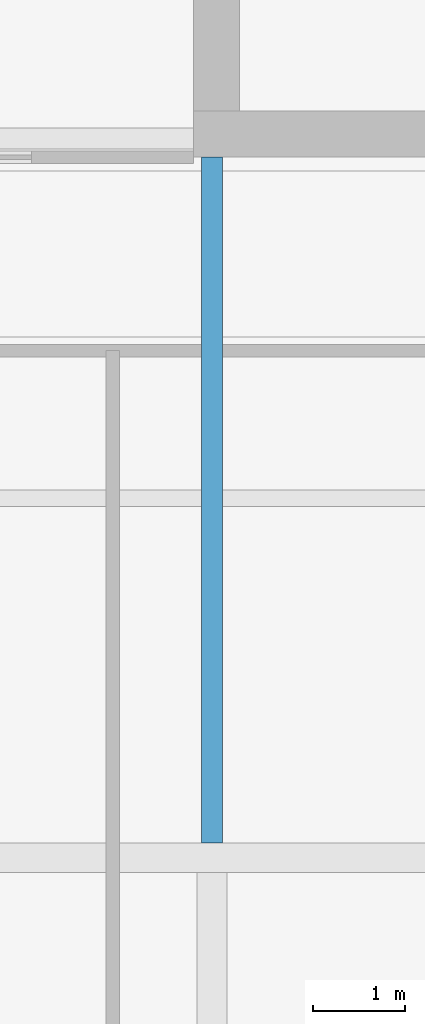
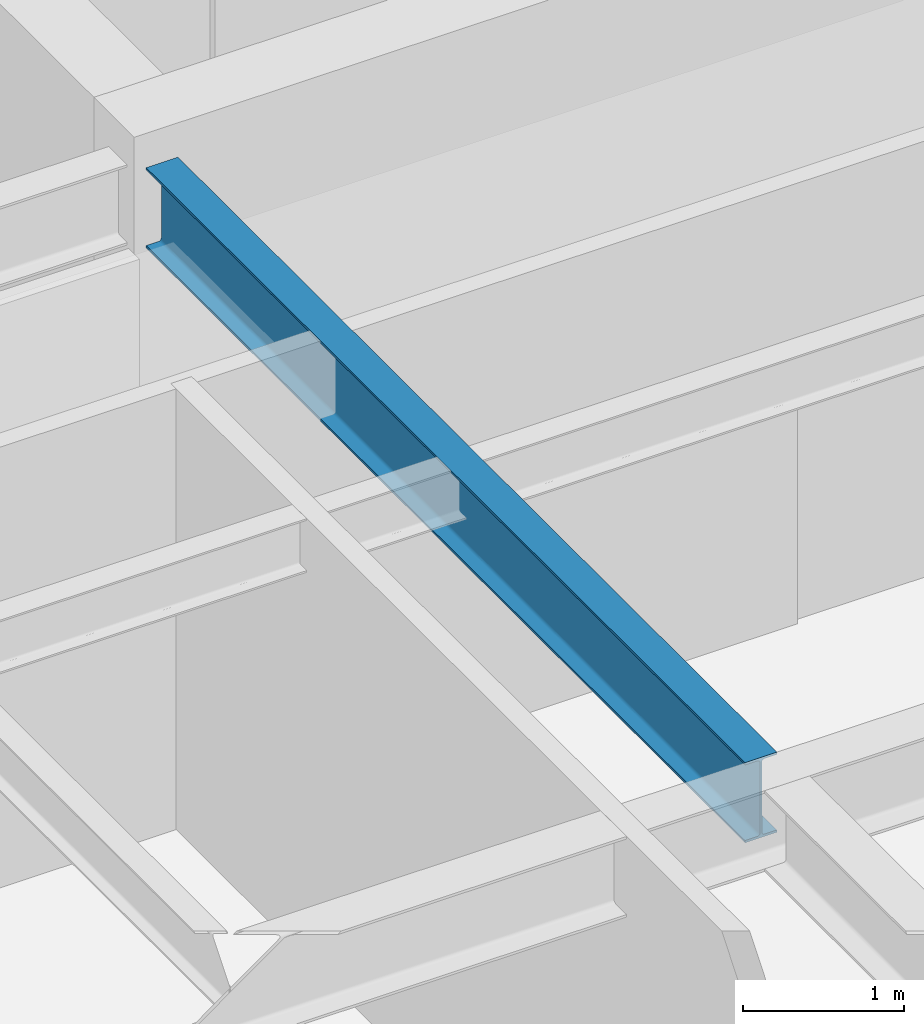
# One storey, part 6 of 31: 1 beam.
"""IFC4 building model written with IfcOpenShell, lengths in metres."""

import ifcopenshell
import ifcopenshell.guid

model = None  # the IFC model being written
_history = None  # IfcOwnerHistory: only IFC2X3 demands one
_inside = {}  # id of a spatial element -> (the spatial element, [elements in it])
_under = {}  # id of a project, library or spatial element -> (it, [spatial elements below it])
_declared = {}  # id of a project -> (the project, [libraries it declares])
_typed = {}  # id of a type object -> (the type object, [elements of that type])
_made_of = {}  # id of a material, layer set ... -> (it, [elements and type objects made of it])


def new_model(schema):
    """Start an empty IFC model of exactly this schema.

    Asked for "IFC4X3", IfcOpenShell would pick the latest addendum, in which some entities
    have other attributes; the version numbers below select the first issue.
    IFC2X3 requires an IfcOwnerHistory on every rooted entity: one is made here for all.
    """
    global model, _history
    if schema == "IFC4X3":
        model = ifcopenshell.file(schema_version=(4, 3, 0, 0))
    else:
        model = ifcopenshell.file(schema=schema)
    _inside.clear()
    _under.clear()
    _declared.clear()
    _typed.clear()
    _made_of.clear()
    _history = None
    if model.schema == "IFC2X3":
        org = make("IfcOrganization", Name="unknown")
        user = make(
            "IfcPersonAndOrganization",
            ThePerson=make("IfcPerson", FamilyName="unknown"),
            TheOrganization=org,
        )
        app = make(
            "IfcApplication",
            ApplicationDeveloper=org,
            Version="unknown",
            ApplicationFullName="unknown",
            ApplicationIdentifier="unknown",
        )
        _history = make(
            "IfcOwnerHistory",
            OwningUser=user,
            OwningApplication=app,
            ChangeAction="ADDED",
            CreationDate=0,
        )
    return model


def make(cls, **values):
    """One entity of the class cls with the attributes given. An attribute that is None is left unset."""
    return model.create_entity(
        cls, **{name: value for name, value in values.items() if value is not None}
    )


def rooted(cls, **values):
    """An entity with a GlobalId (a new one), such as an element, a storey or a relation."""
    return make(cls, GlobalId=ifcopenshell.guid.new(), OwnerHistory=_history, **values)


def si_unit(unit_type, name, prefix=None):
    """IfcSIUnit, for example si_unit("LENGTHUNIT", "METRE", prefix="MILLI")."""
    return make("IfcSIUnit", UnitType=unit_type, Prefix=prefix, Name=name)


def assignment(units):
    """IfcUnitAssignment: the units of a project."""
    return None if units is None else make("IfcUnitAssignment", Units=units)


def point(xyz):
    """IfcCartesianPoint."""
    return None if xyz is None else make("IfcCartesianPoint", Coordinates=xyz)


def direction(xyz):
    """IfcDirection."""
    return None if xyz is None else make("IfcDirection", DirectionRatios=xyz)


def frame(location, z_axis=None, x_axis=None):
    """IfcAxis2Placement3D, a coordinate frame: its origin and axes. An axis left out is left unset."""
    return make(
        "IfcAxis2Placement3D",
        Location=point(location),
        Axis=direction(z_axis),
        RefDirection=direction(x_axis),
    )


def frame_2d(location, x_axis=None):
    """IfcAxis2Placement2D, a coordinate frame in the plane: its origin and x axis."""
    return make(
        "IfcAxis2Placement2D", Location=point(location), RefDirection=direction(x_axis)
    )


def origin():
    """The frame at (0, 0, 0) with its axes left unset."""
    return frame((0.0, 0.0, 0.0))


def origin_2d():
    """The frame at (0, 0) in the plane with its x axis left unset."""
    return frame_2d((0.0, 0.0))


def place(relative_to, where):
    """IfcLocalPlacement: puts the frame where relative to a parent placement (None: the world)."""
    return make(
        "IfcLocalPlacement", PlacementRelTo=relative_to, RelativePlacement=where
    )


def context(
    kind, dimensions, precision=None, world=None, true_north=None, identifier=None
):
    """IfcGeometricRepresentationContext, for example the 3D "Model" context."""
    return make(
        "IfcGeometricRepresentationContext",
        ContextIdentifier=identifier,
        ContextType=kind,
        CoordinateSpaceDimension=dimensions,
        Precision=precision,
        WorldCoordinateSystem=world,
        TrueNorth=true_north,
    )


def subcontext(parent, identifier, kind, view, scale=None):
    """IfcGeometricRepresentationSubContext, for example "Body" below "Model"."""
    return make(
        "IfcGeometricRepresentationSubContext",
        ContextIdentifier=identifier,
        ContextType=kind,
        ParentContext=parent,
        TargetScale=scale,
        TargetView=view,
    )


def project(units=None, contexts=None):
    """IfcProject with its units and contexts."""
    return rooted(
        "IfcProject",
        Name="project",
        RepresentationContexts=contexts,
        UnitsInContext=assignment(units),
    )


def spatial(cls, under=None, at=None, **own):
    """A site, building, storey or space (cls), placed at a placement, below another one or the project."""
    s = rooted(cls, ObjectPlacement=at, **own)
    if under is not None:
        _under.setdefault(under.id(), (under, []))[1].append(s)
    return s


def profile(cls, at=None, kind="AREA", **sizes):
    """A parametric profile (cls). Its sizes go by their IFC names, for example OverallWidth=200.0."""
    return make(cls, ProfileType=kind, Position=at, **sizes)


def i_section(**sizes):
    """IfcIShapeProfileDef."""
    return profile("IfcIShapeProfileDef", **sizes)


def extrude(swept, where, along, depth):
    """IfcExtrudedAreaSolid: the profile swept, set in the frame where, extruded along a direction by depth."""
    return make(
        "IfcExtrudedAreaSolid",
        SweptArea=swept,
        Position=where,
        ExtrudedDirection=direction(along),
        Depth=depth,
    )


def shape(context_of_items, identifier, shape_type, items):
    """IfcShapeRepresentation: the items that make up one representation, for example the "Body"."""
    return make(
        "IfcShapeRepresentation",
        ContextOfItems=context_of_items,
        RepresentationIdentifier=identifier,
        RepresentationType=shape_type,
        Items=items,
    )


def material(Name=None, Category=None):
    """IfcMaterial."""
    return make("IfcMaterial", Name=Name, Category=Category)


def material_profile(
    of_material, cross_section, Name=None, Category=None, Priority=None
):
    """IfcMaterialProfile: a cross section and its material."""
    return make(
        "IfcMaterialProfile",
        Name=Name,
        Material=of_material,
        Profile=cross_section,
        Priority=Priority,
        Category=Category,
    )


def profile_set(profiles, Name=None, composite=None):
    """IfcMaterialProfileSet."""
    return make(
        "IfcMaterialProfileSet",
        Name=Name,
        MaterialProfiles=profiles,
        CompositeProfile=composite,
    )


def made_of(thing, what):
    """Note that an element or type object is made of a material, layer set ...; save() writes the relation."""
    if what is not None:
        _made_of.setdefault(what.id(), (what, []))[1].append(thing)
    return thing


def type_object(cls, material=None, **own):
    """A type object (cls), such as IfcWallType, which elements share."""
    return made_of(rooted(cls, **own), material)


def element(
    cls,
    number,
    at=None,
    inside=None,
    cuts=None,
    type_object=None,
    material=None,
    context=None,
    identifier="Body",
    shape_type=None,
    held_by="IfcProductDefinitionShape",
    body=None,
    shapes=None,
    **own,
):
    """One element of the class cls, such as IfcWall. Its Tag is "e" and its number.

    at: its placement. inside: the storey or other place that contains it. cuts: it is an
    opening in that element (IfcRelVoidsElement). A single representation is given by context,
    identifier, shape_type and body (its items); several are given by shapes. held_by: the class
    of the entity that holds the representations. save() writes the other relations.
    """
    e = rooted(cls, Tag="e%d" % number, ObjectPlacement=at, **own)
    if body is not None:
        shapes = [shape(context, identifier, shape_type, body)]
    if shapes is not None:
        e.Representation = make(held_by, Representations=shapes)
    if inside is not None:
        _inside.setdefault(inside.id(), (inside, []))[1].append(e)
    if cuts is not None:
        rooted(
            "IfcRelVoidsElement", RelatingBuildingElement=cuts, RelatedOpeningElement=e
        )
    if type_object is not None:
        _typed.setdefault(type_object.id(), (type_object, []))[1].append(e)
    return made_of(e, material)


def aggregate(whole, parts):
    """IfcRelAggregates: a whole, such as a stair, and the parts it consists of."""
    return rooted("IfcRelAggregates", RelatingObject=whole, RelatedObjects=parts)


def save(model, path):
    """Write the relations noted so far, then the file.

    IfcRelAggregates (storeys below a building ...), IfcRelContainedInSpatialStructure (elements
    in a storey), IfcRelDefinesByType, IfcRelAssociatesMaterial and IfcRelDeclares: one each for
    every whole, place, type object, material and project.
    """
    for whole, parts in _under.values():
        aggregate(whole, parts)
    for where, things in _inside.values():
        rooted(
            "IfcRelContainedInSpatialStructure",
            RelatedElements=things,
            RelatingStructure=where,
        )
    for kind, things in _typed.values():
        rooted("IfcRelDefinesByType", RelatedObjects=things, RelatingType=kind)
    for what, things in _made_of.values():
        rooted("IfcRelAssociatesMaterial", RelatedObjects=things, RelatingMaterial=what)
    for by, libraries in _declared.values():
        rooted("IfcRelDeclares", RelatingContext=by, RelatedDefinitions=libraries)
    model.write(path)


model = new_model("IFC4")

# Units and contexts
model_context = context("Model", 3, precision=1e-05, world=origin(), true_north=direction((0.0, 1.0)))
body_context = subcontext(model_context, "Body", "Model", "MODEL_VIEW")
ifc_project = project(units=[si_unit("LENGTHUNIT", "METRE"), si_unit("AREAUNIT", "SQUARE_METRE"), si_unit("VOLUMEUNIT", "CUBIC_METRE"), si_unit("PLANEANGLEUNIT", "RADIAN"), si_unit("MASSUNIT", "GRAM", prefix="KILO")], contexts=[model_context])

# Site, building, storey
site_placement = place(None, origin())
site = spatial("IfcSite", under=ifc_project, at=site_placement, CompositionType="ELEMENT")
building_placement = place(site_placement, origin())
building = spatial("IfcBuilding", under=site, at=building_placement, Name="Drelvath Grand Hotel", CompositionType="ELEMENT")
storey_placement = place(building_placement, frame((0.0, 0.0, 244.699951171875)))
storey = spatial("IfcBuildingStorey", under=building, at=storey_placement, Name="L64", CompositionType="ELEMENT", Elevation=244.699951171875)

# Beam
ifc_material = material(Name="Steel ASTM A992 Gr 50", Category="steel")
ifc_material_profile = material_profile(ifc_material, i_section(OverallWidth=0.228271484375, OverallDepth=0.607666015625, WebThickness=0.01123046875, FlangeThickness=0.017333984375, FilletRadius=0.02001953125, at=origin_2d()), Name="W24X76")
ifc_profile_set = profile_set([ifc_material_profile], Name="Steel ASTM A992 Gr 50")
beam_type = type_object("IfcBeamType", Name="Primary Floor Girder W24X76", PredefinedType="BEAM", material=ifc_profile_set)
beam_placement = place(storey_placement, frame((-8.39990234375, 10.9619140625, 3.0361328125), z_axis=(0.0, 1.0, 0.0), x_axis=(-1.0, 0.0, 0.0)))
element("IfcBeam", 1, at=beam_placement, inside=storey, type_object=beam_type, Name="L64 South Core Tie 4", PredefinedType="BEAM", context=body_context, shape_type="SweptSolid", body=[
    extrude(i_section(OverallWidth=0.228271484375, OverallDepth=0.607666015625, WebThickness=0.01123046875, FlangeThickness=0.017333984375, FilletRadius=0.02001953125, at=origin_2d()), origin(), (0.0, 0.0, 1.0), 7.43798828125),
])

save(model, "model.ifc")
